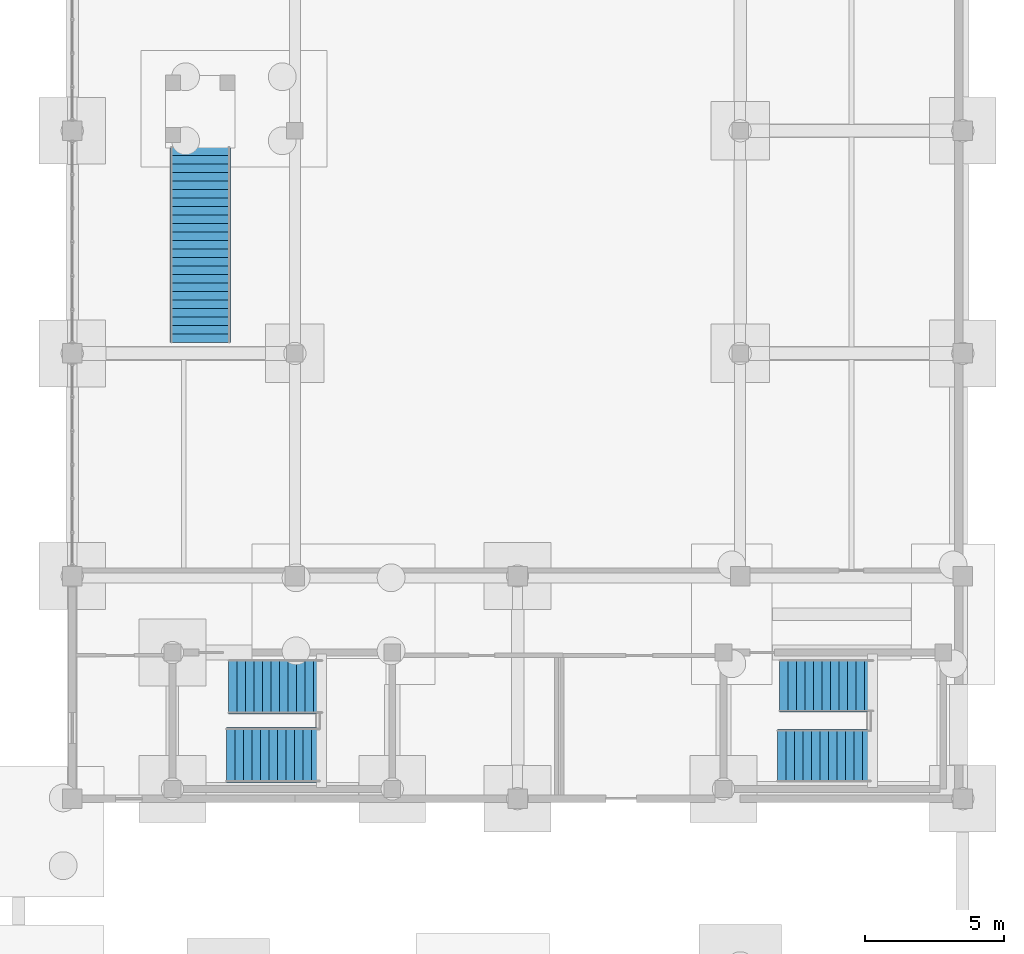
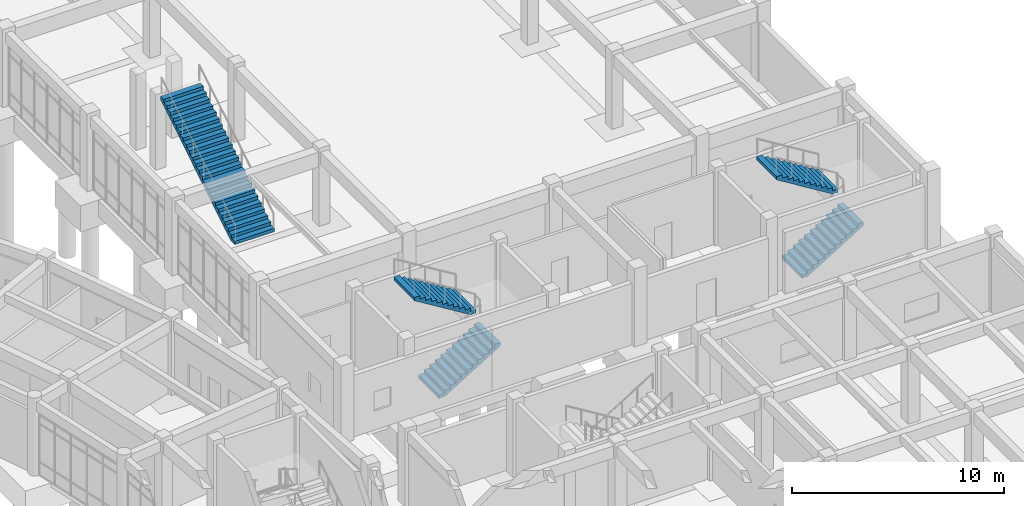
# One storey, part 138 of 153: 5 stair flights, 3 elements without a shape of their own.
"""IFC4 building model written with IfcOpenShell, lengths in metres."""

from ifc_helpers import new_model, si_unit, direction, frame, origin, place, context, subcontext, project, spatial, polyline, outline, extrude, material, type_object, element, aggregate, save


model = new_model("IFC4")

# Units and contexts
model_context = context("Model", 3, precision=1e-05, world=origin(), true_north=direction((0.0, 1.0)))
body_context = subcontext(model_context, "Body", "Model", "MODEL_VIEW")
ifc_project = project(units=[si_unit("LENGTHUNIT", "METRE"), si_unit("AREAUNIT", "SQUARE_METRE"), si_unit("VOLUMEUNIT", "CUBIC_METRE"), si_unit("PLANEANGLEUNIT", "RADIAN"), si_unit("MASSUNIT", "GRAM", prefix="KILO")], contexts=[model_context])

# Site, building, storey
site_placement = place(None, origin())
site = spatial("IfcSite", under=ifc_project, at=site_placement, CompositionType="ELEMENT")
building_placement = place(site_placement, origin())
building = spatial("IfcBuilding", under=site, at=building_placement, Name="Celadon Cloister-Ring School", CompositionType="ELEMENT")
storey_placement = place(building_placement, origin())
storey = spatial("IfcBuildingStorey", under=building, at=storey_placement, Name="L00", CompositionType="ELEMENT", Elevation=0.0)

# Stair, stair flights
ifc_material_1 = material(Name="Concrete C35/45", Category="concrete")
stair_type_1 = type_object("IfcStairType", Name="ST-01", PredefinedType="HALF_TURN_STAIR", material=ifc_material_1)
stair_1_placement = place(storey_placement, origin())
stair_1 = element("IfcStair", 1, at=stair_1_placement, inside=storey, type_object=stair_type_1, Name="Exit Stair ST-V2A L00", PredefinedType="HALF_TURN_STAIR")
ifc_material_2 = material(Name="Concrete C35/45", Category="concrete")
stair_flight_type_1 = type_object("IfcStairFlightType", Name="SFL-01", PredefinedType="STRAIGHT", material=ifc_material_2)
stair_flight_1_placement = place(storey_placement, frame((147.5400390625, 67.570068359375, 0.0), z_axis=(0.0, 0.0, 1.0), x_axis=(1.0, 0.0, 0.0)))
stair_flight_1 = element("IfcStairFlight", 2, at=stair_flight_1_placement, type_object=stair_flight_type_1, Name="ST-01 flight 1", NumberOfRisers=12, NumberOfTreads=11, PredefinedType="STRAIGHT", RiserHeight=0.1875, TreadLength=0.305, context=body_context, shape_type="SweptSolid", body=[
    extrude(outline(polyline([(0.0, 0.0), (0.0, 0.1875), (0.304931640625, 0.1875), (0.304931640625, 0.375), (0.610107421875, 0.375), (0.610107421875, 0.5625), (0.9150390625, 0.5625), (0.9150390625, 0.75), (1.219970703125, 0.75), (1.219970703125, 0.9375), (1.52490234375, 0.9375), (1.52490234375, 1.125), (1.830078125, 1.125), (1.830078125, 1.3125), (2.135009765625, 1.3125), (2.135009765625, 1.5), (2.43994140625, 1.5), (2.43994140625, 1.6875), (2.7451171875, 1.6875), (2.7451171875, 1.875), (3.050048828125, 1.875), (3.050048828125, 2.0625), (3.35498046875, 2.0625), (3.35498046875, 2.25), (3.35498046875, 1.874755859375), (0.305419921875, 0.0), (0.0, 0.0)])), frame((0.0, 0.97998046875, 0.0), z_axis=(0.0, -1.0, 0.0), x_axis=(1.0, 0.0, 0.0)), (0.0, 0.0, 1.0), 1.9599609375),
])
stair_flight_2_placement = place(storey_placement, frame((150.97509765625, 70.030029296875, 2.25), z_axis=(0.0, 0.0, 1.0), x_axis=(-1.0, 0.0, 0.0)))
stair_flight_2 = element("IfcStairFlight", 3, at=stair_flight_2_placement, type_object=stair_flight_type_1, Name="ST-01 flight 2", NumberOfRisers=12, NumberOfTreads=11, PredefinedType="STRAIGHT", RiserHeight=0.1875, TreadLength=0.305, context=body_context, shape_type="SweptSolid", body=[
    extrude(outline(polyline([(0.0, 0.0), (0.0, 0.1875), (0.304931640625, 0.1875), (0.304931640625, 0.375), (0.610107421875, 0.375), (0.610107421875, 0.5625), (0.9150390625, 0.5625), (0.9150390625, 0.75), (1.219970703125, 0.75), (1.219970703125, 0.9375), (1.52490234375, 0.9375), (1.52490234375, 1.125), (1.830078125, 1.125), (1.830078125, 1.3125), (2.135009765625, 1.3125), (2.135009765625, 1.5), (2.43994140625, 1.5), (2.43994140625, 1.6875), (2.7451171875, 1.6875), (2.7451171875, 1.875), (3.050048828125, 1.875), (3.050048828125, 2.0625), (3.35498046875, 2.0625), (3.35498046875, 2.25), (3.35498046875, 1.874755859375), (0.305419921875, 0.0), (0.0, 0.0)])), frame((0.0, 0.97998046875, 0.0), z_axis=(0.0, -1.0, 0.0), x_axis=(1.0, 0.0, 0.0)), (0.0, 0.0, 1.0), 1.9599609375),
])
aggregate(stair_1, [stair_flight_1, stair_flight_2])

ifc_material_3 = material(Name="Concrete C35/45", Category="concrete")
stair_type_2 = type_object("IfcStairType", Name="ST-03", PredefinedType="HALF_TURN_STAIR", material=ifc_material_3)
stair_2_placement = place(storey_placement, origin())
stair_2 = element("IfcStair", 4, at=stair_2_placement, inside=storey, type_object=stair_type_2, Name="Exit Stair ST-V2B L00", PredefinedType="HALF_TURN_STAIR")
ifc_material_4 = material(Name="Concrete C35/45", Category="concrete")
stair_flight_type_2 = type_object("IfcStairFlightType", Name="SFL-02", PredefinedType="STRAIGHT", material=ifc_material_4)
stair_flight_3_placement = place(storey_placement, frame((167.340087890625, 67.5400390625, 0.0), z_axis=(0.0, 0.0, 1.0), x_axis=(1.0, 0.0, 0.0)))
stair_flight_3 = element("IfcStairFlight", 5, at=stair_flight_3_placement, type_object=stair_flight_type_2, Name="ST-03 flight 1", NumberOfRisers=12, NumberOfTreads=11, PredefinedType="STRAIGHT", RiserHeight=0.1875, TreadLength=0.305, context=body_context, shape_type="SweptSolid", body=[
    extrude(outline(polyline([(0.0, 0.0), (0.0, 0.1875), (0.304931640625, 0.1875), (0.304931640625, 0.375), (0.610107421875, 0.375), (0.610107421875, 0.5625), (0.9150390625, 0.5625), (0.9150390625, 0.75), (1.219970703125, 0.75), (1.219970703125, 0.9375), (1.52490234375, 0.9375), (1.52490234375, 1.125), (1.830078125, 1.125), (1.830078125, 1.3125), (2.135009765625, 1.3125), (2.135009765625, 1.5), (2.43994140625, 1.5), (2.43994140625, 1.6875), (2.7451171875, 1.6875), (2.7451171875, 1.875), (3.050048828125, 1.875), (3.050048828125, 2.0625), (3.35498046875, 2.0625), (3.35498046875, 2.25), (3.35498046875, 1.874755859375), (0.305419921875, 0.0), (0.0, 0.0)])), frame((0.0, 0.949951171875, 0.0), z_axis=(0.0, -1.0, 0.0), x_axis=(1.0, 0.0, 0.0)), (0.0, 0.0, 1.0), 1.89990234375),
])
stair_flight_4_placement = place(storey_placement, frame((170.77490234375, 70.06005859375, 2.25), z_axis=(0.0, 0.0, 1.0), x_axis=(-1.0, 0.0, 0.0)))
stair_flight_4 = element("IfcStairFlight", 6, at=stair_flight_4_placement, type_object=stair_flight_type_2, Name="ST-03 flight 2", NumberOfRisers=12, NumberOfTreads=11, PredefinedType="STRAIGHT", RiserHeight=0.1875, TreadLength=0.305, context=body_context, shape_type="SweptSolid", body=[
    extrude(outline(polyline([(0.0, 0.0), (0.0, 0.1875), (0.304931640625, 0.1875), (0.304931640625, 0.375), (0.610107421875, 0.375), (0.610107421875, 0.5625), (0.9150390625, 0.5625), (0.9150390625, 0.75), (1.219970703125, 0.75), (1.219970703125, 0.9375), (1.52490234375, 0.9375), (1.52490234375, 1.125), (1.830078125, 1.125), (1.830078125, 1.3125), (2.135009765625, 1.3125), (2.135009765625, 1.5), (2.43994140625, 1.5), (2.43994140625, 1.6875), (2.7451171875, 1.6875), (2.7451171875, 1.875), (3.050048828125, 1.875), (3.050048828125, 2.0625), (3.35498046875, 2.0625), (3.35498046875, 2.25), (3.35498046875, 1.874755859375), (0.305419921875, 0.0), (0.0, 0.0)])), frame((0.0, 0.949951171875, 0.0), z_axis=(0.0, -1.0, 0.0), x_axis=(1.0, 0.0, 0.0)), (0.0, 0.0, 1.0), 1.89990234375),
])
aggregate(stair_2, [stair_flight_3, stair_flight_4])

# Stair, stair flight
ifc_material_5 = material(Name="Concrete C35/45", Category="concrete")
stair_type_3 = type_object("IfcStairType", Name="ST-05", PredefinedType="STRAIGHT_RUN_STAIR", material=ifc_material_5)
stair_3_placement = place(storey_placement, origin())
stair_3 = element("IfcStair", 7, at=stair_3_placement, inside=storey, type_object=stair_type_3, Name="Sports Gallery Feature Stair", PredefinedType="STRAIGHT_RUN_STAIR")
ifc_material_6 = material(Name="Concrete C35/45", Category="concrete")
stair_flight_type_3 = type_object("IfcStairFlightType", Name="SFL-03", PredefinedType="STRAIGHT", material=ifc_material_6)
stair_flight_5_placement = place(storey_placement, frame((146.60009765625, 82.39990234375, 0.0), z_axis=(0.0, 0.0, 1.0), x_axis=(0.0, 1.0, 0.0)))
stair_flight_5 = element("IfcStairFlight", 8, at=stair_flight_5_placement, type_object=stair_flight_type_3, Name="ST-05 flight 1", NumberOfRisers=24, NumberOfTreads=23, PredefinedType="STRAIGHT", RiserHeight=0.1875, TreadLength=0.305, context=body_context, shape_type="SweptSolid", body=[
    extrude(outline(polyline([(0.0, 0.0), (0.0, 0.1875), (0.304931640625, 0.1875), (0.304931640625, 0.375), (0.610107421875, 0.375), (0.610107421875, 0.5625), (0.9150390625, 0.5625), (0.9150390625, 0.75), (1.219970703125, 0.75), (1.219970703125, 0.9375), (1.52490234375, 0.9375), (1.52490234375, 1.125), (1.830078125, 1.125), (1.830078125, 1.3125), (2.135009765625, 1.3125), (2.135009765625, 1.5), (2.43994140625, 1.5), (2.43994140625, 1.6875), (2.7451171875, 1.6875), (2.7451171875, 1.875), (3.050048828125, 1.875), (3.050048828125, 2.0625), (3.35498046875, 2.0625), (3.35498046875, 2.25), (3.659912109375, 2.25), (3.659912109375, 2.4375), (3.965087890625, 2.4375), (3.965087890625, 2.625), (4.27001953125, 2.625), (4.27001953125, 2.8125), (4.574951171875, 2.8125), (4.574951171875, 3.0), (4.8798828125, 3.0), (4.8798828125, 3.1875), (5.18505859375, 3.1875), (5.18505859375, 3.375), (5.489990234375, 3.375), (5.489990234375, 3.5625), (5.794921875, 3.5625), (5.794921875, 3.75), (6.10009765625, 3.75), (6.10009765625, 3.9375), (6.405029296875, 3.9375), (6.405029296875, 4.125), (6.7099609375, 4.125), (6.7099609375, 4.3125), (7.014892578125, 4.3125), (7.014892578125, 4.5), (7.014892578125, 4.101318359375), (0.343505859375, 0.0), (0.0, 0.0)])), frame((0.0, 1.080078125, 0.0), z_axis=(0.0, -1.0, 0.0), x_axis=(1.0, 0.0, 0.0)), (0.0, 0.0, 1.0), 2.159912109375),
])
aggregate(stair_3, [stair_flight_5])

save(model, "model.ifc")
